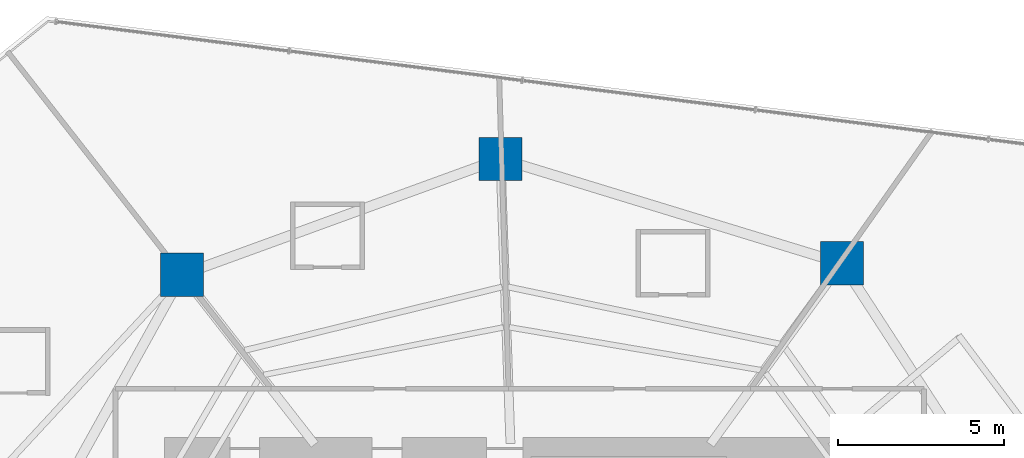
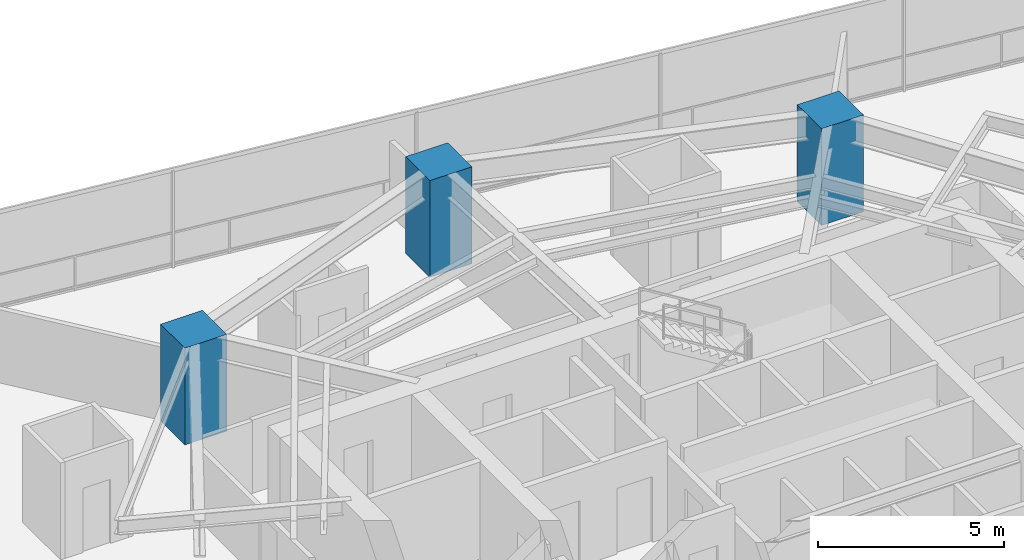
# One storey, part 2 of 30: 3 columns.
"""IFC4 building model written with IfcOpenShell, lengths in metres."""

from ifc_helpers import new_model, si_unit, direction, frame, origin, origin_2d, place, context, subcontext, project, spatial, rectangle, extrude, material, material_profile, profile_set, type_object, element, save


model = new_model("IFC4")

# Units and contexts
model_context = context("Model", 3, precision=1e-05, world=origin(), true_north=direction((0.0, 1.0)))
body_context = subcontext(model_context, "Body", "Model", "MODEL_VIEW")
ifc_project = project(units=[si_unit("LENGTHUNIT", "METRE"), si_unit("AREAUNIT", "SQUARE_METRE"), si_unit("VOLUMEUNIT", "CUBIC_METRE"), si_unit("PLANEANGLEUNIT", "RADIAN"), si_unit("MASSUNIT", "GRAM", prefix="KILO")], contexts=[model_context])

# Site, building, storey
site_placement = place(None, origin())
site = spatial("IfcSite", under=ifc_project, at=site_placement, CompositionType="ELEMENT")
building_placement = place(site_placement, origin())
building = spatial("IfcBuilding", under=site, at=building_placement, Name="Qarnah Convention Tower", CompositionType="ELEMENT")
storey_placement = place(building_placement, frame((0.0, 0.0, 40.800048828125)))
storey = spatial("IfcBuildingStorey", under=building, at=storey_placement, Name="L09", CompositionType="ELEMENT", Elevation=40.800048828125)

# Columns
ifc_material = material(Name="Concrete C60/75", Category="concrete")
ifc_material_profile = material_profile(ifc_material, rectangle(XDim=1.300048828125, YDim=1.300048828125, at=origin_2d()), Name="RC-COL-1300X1300")
ifc_profile_set = profile_set([ifc_material_profile], Name="Concrete C60/75")
column_type = type_object("IfcColumnType", Name="COL-Z1-1300", PredefinedType="COLUMN", material=ifc_profile_set)
for number, where, z_axis, x_axis, name in (
    (1, (46.927978515625, 39.7890625, 0.0), (0.0, 0.0, 1.0), (1.0, 0.0, 0.0), "L09 plumb column PC-Z1-02"),
    (2, (36.6220703125, 42.93994140625, 0.0), (0.0, 0.0, 1.0), (1.0, 0.0, 0.0), "L09 plumb column PC-Z1-03"),
    (3, (27.010986328125, 39.44189453125, 0.0), (0.0, 0.0, 1.0), (1.0, 0.0, 0.0), "L09 plumb column PC-Z1-04"),
):
    element("IfcColumn", number, at=place(storey_placement, frame(where, z_axis=z_axis, x_axis=x_axis)), inside=storey, type_object=column_type, Name=name, PredefinedType="COLUMN", context=body_context, shape_type="SweptSolid", body=[
        extrude(rectangle(XDim=1.300048828125, YDim=1.300048828125, at=origin_2d()), origin(), (0.0, 0.0, 1.0), 3.169921875),
    ])

save(model, "model.ifc")
